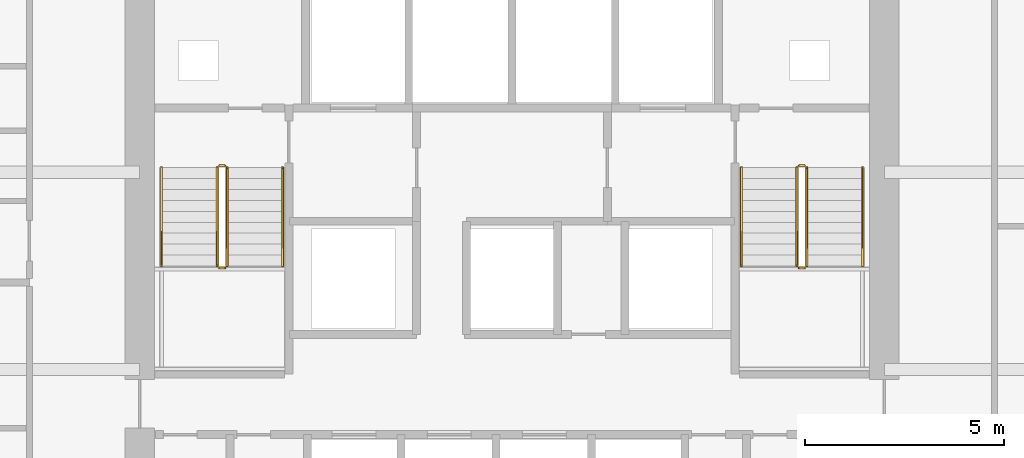
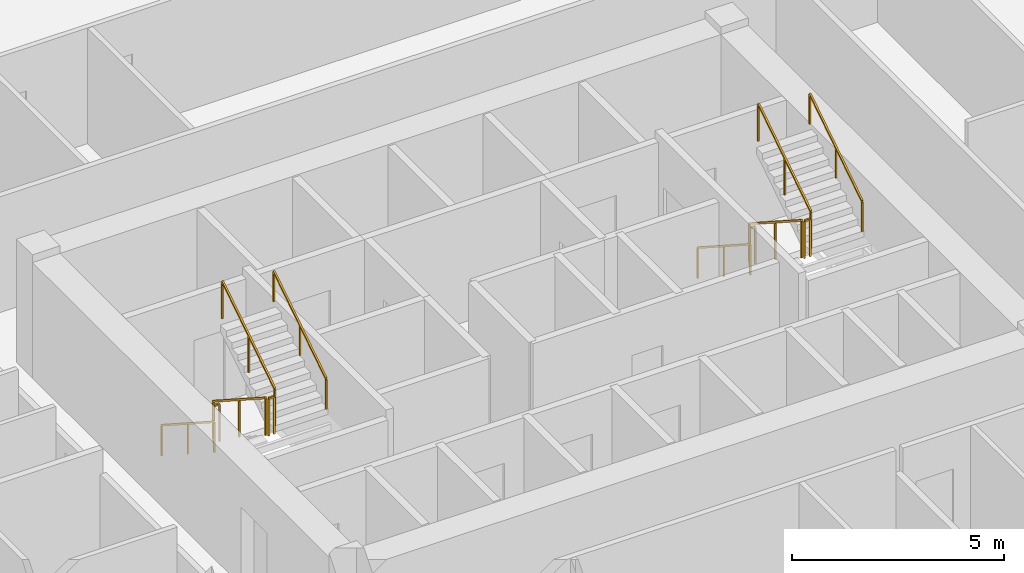
# One storey, part 10 of 11: 12 railings.
"""IFC4 building model written with IfcOpenShell, lengths in metres."""

from ifc_helpers import new_model, si_unit, direction, frame, origin, origin_2d, place, context, subcontext, project, spatial, rectangle, extrude, material, type_object, element, save


model = new_model("IFC4")

# Units and contexts
model_context = context("Model", 3, precision=1e-05, world=origin(), true_north=direction((0.0, 1.0)))
body_context = subcontext(model_context, "Body", "Model", "MODEL_VIEW")
ifc_project = project(units=[si_unit("LENGTHUNIT", "METRE"), si_unit("AREAUNIT", "SQUARE_METRE"), si_unit("VOLUMEUNIT", "CUBIC_METRE"), si_unit("PLANEANGLEUNIT", "RADIAN"), si_unit("MASSUNIT", "GRAM", prefix="KILO")], contexts=[model_context])

# Site, building, storey
site_placement = place(None, origin())
site = spatial("IfcSite", under=ifc_project, at=site_placement, CompositionType="ELEMENT")
building_placement = place(site_placement, origin())
building = spatial("IfcBuilding", under=site, at=building_placement, Name="Cinnabar Lancet Tower", CompositionType="ELEMENT")
storey_placement = place(building_placement, frame((0.0, 0.0, 90.64990234375)))
storey = spatial("IfcBuildingStorey", under=building, at=storey_placement, Name="L23", CompositionType="ELEMENT", Elevation=90.64990234375)

# Railings
ifc_material_1 = material(Name="Painted galvanized steel balustrade", Category="steel")
railing_type_1 = type_object("IfcRailingType", Name="GUARD-STAIR", PredefinedType="GUARDRAIL", material=ifc_material_1)
railing_1_placement = place(storey_placement, frame((24.97509765625, 28.39990234375, 0.177490234375)))
element("IfcRailing", 1, at=railing_1_placement, inside=storey, type_object=railing_type_1, Name="L23 ST-1 stair guard 1", PredefinedType="GUARDRAIL", context=body_context, shape_type="SweptSolid", body=[
    extrude(rectangle(XDim=0.048095703125, YDim=0.048095703125, at=origin_2d()), frame((0.0, 0.0, 1.076171875), z_axis=(0.0, -0.84014559416, 0.542360932049), x_axis=(1.0, 0.0, 0.0)), (0.0, 0.0, 1.0), 2.94580078125),
    extrude(rectangle(XDim=0.0419921875, YDim=0.0419921875, at=origin_2d()), origin(), (0.0, 0.0, 1.0), 1.052001953125),
    extrude(rectangle(XDim=0.0419921875, YDim=0.0419921875, at=origin_2d()), frame((0.0, -1.2373046875, 0.798828125)), (0.0, 0.0, 1.0), 1.052001953125),
    extrude(rectangle(XDim=0.0419921875, YDim=0.0419921875, at=origin_2d()), frame((0.0, -2.474853515625, 1.59765625)), (0.0, 0.0, 1.0), 1.052001953125),
])
railing_2_placement = place(storey_placement, frame((25.02490234375, 25.875, 1.775146484375)))
element("IfcRailing", 2, at=railing_2_placement, inside=storey, type_object=railing_type_1, Name="L23 ST-1 stair guard 2", PredefinedType="GUARDRAIL", context=body_context, shape_type="SweptSolid", body=[
    extrude(rectangle(XDim=0.048095703125, YDim=0.048095703125, at=origin_2d()), frame((0.0, 0.0, 1.076171875), z_axis=(1.0, 0.0, 0.0), x_axis=(0.0, 1.0, 0.0)), (0.0, 0.0, 1.0), 0.150146484375),
    extrude(rectangle(XDim=0.0419921875, YDim=0.0419921875, at=origin_2d()), origin(), (0.0, 0.0, 1.0), 1.052001953125),
    extrude(rectangle(XDim=0.0419921875, YDim=0.0419921875, at=origin_2d()), frame((0.150146484375, 0.0, 0.0)), (0.0, 0.0, 1.0), 1.052001953125),
])
railing_3_placement = place(storey_placement, frame((25.22509765625, 25.925048828125, 1.95263671875)))
element("IfcRailing", 3, at=railing_3_placement, inside=storey, type_object=railing_type_1, Name="L23 ST-1 stair guard 3", PredefinedType="GUARDRAIL", context=body_context, shape_type="SweptSolid", body=[
    extrude(rectangle(XDim=0.048095703125, YDim=0.048095703125, at=origin_2d()), frame((0.0, 0.0, 1.076171875), z_axis=(0.0, 0.840183358697, 0.542302428327), x_axis=(-1.0, 0.0, 0.0)), (0.0, 0.0, 1.0), 2.945556640625),
    extrude(rectangle(XDim=0.0419921875, YDim=0.0419921875, at=origin_2d()), origin(), (0.0, 0.0, 1.0), 1.052001953125),
    extrude(rectangle(XDim=0.0419921875, YDim=0.0419921875, at=origin_2d()), frame((0.0, 1.2373046875, 0.798828125)), (0.0, 0.0, 1.0), 1.052001953125),
    extrude(rectangle(XDim=0.0419921875, YDim=0.0419921875, at=origin_2d()), frame((0.0, 2.474853515625, 1.597412109375)), (0.0, 0.0, 1.0), 1.052001953125),
])
railing_4_placement = place(storey_placement, frame((25.02490234375, 28.449951171875, 0.0)))
element("IfcRailing", 4, at=railing_4_placement, inside=storey, type_object=railing_type_1, Name="L23 ST-1 stair guard 4", PredefinedType="GUARDRAIL", context=body_context, shape_type="SweptSolid", body=[
    extrude(rectangle(XDim=0.048095703125, YDim=0.048095703125, at=origin_2d()), frame((0.0, 0.0, 1.076171875), z_axis=(1.0, 0.0, 0.0), x_axis=(0.0, 1.0, 0.0)), (0.0, 0.0, 1.0), 0.150146484375),
    extrude(rectangle(XDim=0.0419921875, YDim=0.0419921875, at=origin_2d()), origin(), (0.0, 0.0, 1.0), 1.052001953125),
    extrude(rectangle(XDim=0.0419921875, YDim=0.0419921875, at=origin_2d()), frame((0.150146484375, 0.0, 0.0)), (0.0, 0.0, 1.0), 1.052001953125),
])
railing_5_placement = place(storey_placement, frame((39.574951171875, 28.39990234375, 0.177490234375)))
element("IfcRailing", 5, at=railing_5_placement, inside=storey, type_object=railing_type_1, Name="L23 ST-2 stair guard 1", PredefinedType="GUARDRAIL", context=body_context, shape_type="SweptSolid", body=[
    extrude(rectangle(XDim=0.048095703125, YDim=0.048095703125, at=origin_2d()), frame((0.0, 0.0, 1.076171875), z_axis=(0.0, -0.84014559416, 0.542360932049), x_axis=(1.0, 0.0, 0.0)), (0.0, 0.0, 1.0), 2.94580078125),
    extrude(rectangle(XDim=0.0419921875, YDim=0.0419921875, at=origin_2d()), origin(), (0.0, 0.0, 1.0), 1.052001953125),
    extrude(rectangle(XDim=0.0419921875, YDim=0.0419921875, at=origin_2d()), frame((0.0, -1.2373046875, 0.798828125)), (0.0, 0.0, 1.0), 1.052001953125),
    extrude(rectangle(XDim=0.0419921875, YDim=0.0419921875, at=origin_2d()), frame((0.0, -2.474853515625, 1.59765625)), (0.0, 0.0, 1.0), 1.052001953125),
])
railing_6_placement = place(storey_placement, frame((39.625, 25.875, 1.775146484375)))
element("IfcRailing", 6, at=railing_6_placement, inside=storey, type_object=railing_type_1, Name="L23 ST-2 stair guard 2", PredefinedType="GUARDRAIL", context=body_context, shape_type="SweptSolid", body=[
    extrude(rectangle(XDim=0.048095703125, YDim=0.048095703125, at=origin_2d()), frame((0.0, 0.0, 1.076171875), z_axis=(1.0, 0.0, 0.0), x_axis=(0.0, 1.0, 0.0)), (0.0, 0.0, 1.0), 0.14990234375),
    extrude(rectangle(XDim=0.0419921875, YDim=0.0419921875, at=origin_2d()), origin(), (0.0, 0.0, 1.0), 1.052001953125),
    extrude(rectangle(XDim=0.0419921875, YDim=0.0419921875, at=origin_2d()), frame((0.14990234375, 0.0, 0.0)), (0.0, 0.0, 1.0), 1.052001953125),
])
railing_7_placement = place(storey_placement, frame((39.824951171875, 25.925048828125, 1.95263671875)))
element("IfcRailing", 7, at=railing_7_placement, inside=storey, type_object=railing_type_1, Name="L23 ST-2 stair guard 3", PredefinedType="GUARDRAIL", context=body_context, shape_type="SweptSolid", body=[
    extrude(rectangle(XDim=0.048095703125, YDim=0.048095703125, at=origin_2d()), frame((0.0, 0.0, 1.076171875), z_axis=(0.0, 0.840183358697, 0.542302428327), x_axis=(-1.0, 0.0, 0.0)), (0.0, 0.0, 1.0), 2.945556640625),
    extrude(rectangle(XDim=0.0419921875, YDim=0.0419921875, at=origin_2d()), origin(), (0.0, 0.0, 1.0), 1.052001953125),
    extrude(rectangle(XDim=0.0419921875, YDim=0.0419921875, at=origin_2d()), frame((0.0, 1.2373046875, 0.798828125)), (0.0, 0.0, 1.0), 1.052001953125),
    extrude(rectangle(XDim=0.0419921875, YDim=0.0419921875, at=origin_2d()), frame((0.0, 2.474853515625, 1.597412109375)), (0.0, 0.0, 1.0), 1.052001953125),
])
railing_8_placement = place(storey_placement, frame((39.625, 28.449951171875, 0.0)))
element("IfcRailing", 8, at=railing_8_placement, inside=storey, type_object=railing_type_1, Name="L23 ST-2 stair guard 4", PredefinedType="GUARDRAIL", context=body_context, shape_type="SweptSolid", body=[
    extrude(rectangle(XDim=0.048095703125, YDim=0.048095703125, at=origin_2d()), frame((0.0, 0.0, 1.076171875), z_axis=(1.0, 0.0, 0.0), x_axis=(0.0, 1.0, 0.0)), (0.0, 0.0, 1.0), 0.14990234375),
    extrude(rectangle(XDim=0.0419921875, YDim=0.0419921875, at=origin_2d()), origin(), (0.0, 0.0, 1.0), 1.052001953125),
    extrude(rectangle(XDim=0.0419921875, YDim=0.0419921875, at=origin_2d()), frame((0.14990234375, 0.0, 0.0)), (0.0, 0.0, 1.0), 1.052001953125),
])
ifc_material_2 = material(Name="Brushed stainless steel handrail", Category="steel")
railing_type_2 = type_object("IfcRailingType", Name="HANDRAIL-STAIR", PredefinedType="HANDRAIL", material=ifc_material_2)
railing_9_placement = place(storey_placement, frame((23.574951171875, 28.39990234375, 0.177490234375)))
element("IfcRailing", 9, at=railing_9_placement, inside=storey, type_object=railing_type_2, Name="L23 ST-1 stair handrail 1", PredefinedType="HANDRAIL", context=body_context, shape_type="SweptSolid", body=[
    extrude(rectangle(XDim=0.048095703125, YDim=0.048095703125, at=origin_2d()), frame((0.0, 0.0, 0.8759765625), z_axis=(0.0, -0.84014559416, 0.542360932049), x_axis=(1.0, 0.0, 0.0)), (0.0, 0.0, 1.0), 2.94580078125),
    extrude(rectangle(XDim=0.0419921875, YDim=0.0419921875, at=origin_2d()), origin(), (0.0, 0.0, 1.0), 0.851806640625),
    extrude(rectangle(XDim=0.0419921875, YDim=0.0419921875, at=origin_2d()), frame((0.0, -1.2373046875, 0.798828125)), (0.0, 0.0, 1.0), 0.851806640625),
    extrude(rectangle(XDim=0.0419921875, YDim=0.0419921875, at=origin_2d()), frame((0.0, -2.474853515625, 1.59765625)), (0.0, 0.0, 1.0), 0.851806640625),
])
railing_10_placement = place(storey_placement, frame((26.625, 25.925048828125, 1.95263671875)))
element("IfcRailing", 10, at=railing_10_placement, inside=storey, type_object=railing_type_2, Name="L23 ST-1 stair handrail 2", PredefinedType="HANDRAIL", context=body_context, shape_type="SweptSolid", body=[
    extrude(rectangle(XDim=0.048095703125, YDim=0.048095703125, at=origin_2d()), frame((0.0, 0.0, 0.8759765625), z_axis=(0.0, 0.840183358697, 0.542302428327), x_axis=(-1.0, 0.0, 0.0)), (0.0, 0.0, 1.0), 2.945556640625),
    extrude(rectangle(XDim=0.0419921875, YDim=0.0419921875, at=origin_2d()), origin(), (0.0, 0.0, 1.0), 0.851806640625),
    extrude(rectangle(XDim=0.0419921875, YDim=0.0419921875, at=origin_2d()), frame((0.0, 1.2373046875, 0.798828125)), (0.0, 0.0, 1.0), 0.851806640625),
    extrude(rectangle(XDim=0.0419921875, YDim=0.0419921875, at=origin_2d()), frame((0.0, 2.474853515625, 1.597412109375)), (0.0, 0.0, 1.0), 0.851806640625),
])
railing_11_placement = place(storey_placement, frame((38.175048828125, 28.39990234375, 0.177490234375)))
element("IfcRailing", 11, at=railing_11_placement, inside=storey, type_object=railing_type_2, Name="L23 ST-2 stair handrail 1", PredefinedType="HANDRAIL", context=body_context, shape_type="SweptSolid", body=[
    extrude(rectangle(XDim=0.048095703125, YDim=0.048095703125, at=origin_2d()), frame((0.0, 0.0, 0.8759765625), z_axis=(0.0, -0.84014559416, 0.542360932049), x_axis=(1.0, 0.0, 0.0)), (0.0, 0.0, 1.0), 2.94580078125),
    extrude(rectangle(XDim=0.0419921875, YDim=0.0419921875, at=origin_2d()), origin(), (0.0, 0.0, 1.0), 0.851806640625),
    extrude(rectangle(XDim=0.0419921875, YDim=0.0419921875, at=origin_2d()), frame((0.0, -1.2373046875, 0.798828125)), (0.0, 0.0, 1.0), 0.851806640625),
    extrude(rectangle(XDim=0.0419921875, YDim=0.0419921875, at=origin_2d()), frame((0.0, -2.474853515625, 1.59765625)), (0.0, 0.0, 1.0), 0.851806640625),
])
railing_12_placement = place(storey_placement, frame((41.22509765625, 25.925048828125, 1.95263671875)))
element("IfcRailing", 12, at=railing_12_placement, inside=storey, type_object=railing_type_2, Name="L23 ST-2 stair handrail 2", PredefinedType="HANDRAIL", context=body_context, shape_type="SweptSolid", body=[
    extrude(rectangle(XDim=0.048095703125, YDim=0.048095703125, at=origin_2d()), frame((0.0, 0.0, 0.8759765625), z_axis=(0.0, 0.840183358697, 0.542302428327), x_axis=(-1.0, 0.0, 0.0)), (0.0, 0.0, 1.0), 2.945556640625),
    extrude(rectangle(XDim=0.0419921875, YDim=0.0419921875, at=origin_2d()), origin(), (0.0, 0.0, 1.0), 0.851806640625),
    extrude(rectangle(XDim=0.0419921875, YDim=0.0419921875, at=origin_2d()), frame((0.0, 1.2373046875, 0.798828125)), (0.0, 0.0, 1.0), 0.851806640625),
    extrude(rectangle(XDim=0.0419921875, YDim=0.0419921875, at=origin_2d()), frame((0.0, 2.474853515625, 1.597412109375)), (0.0, 0.0, 1.0), 0.851806640625),
])

save(model, "model.ifc")
